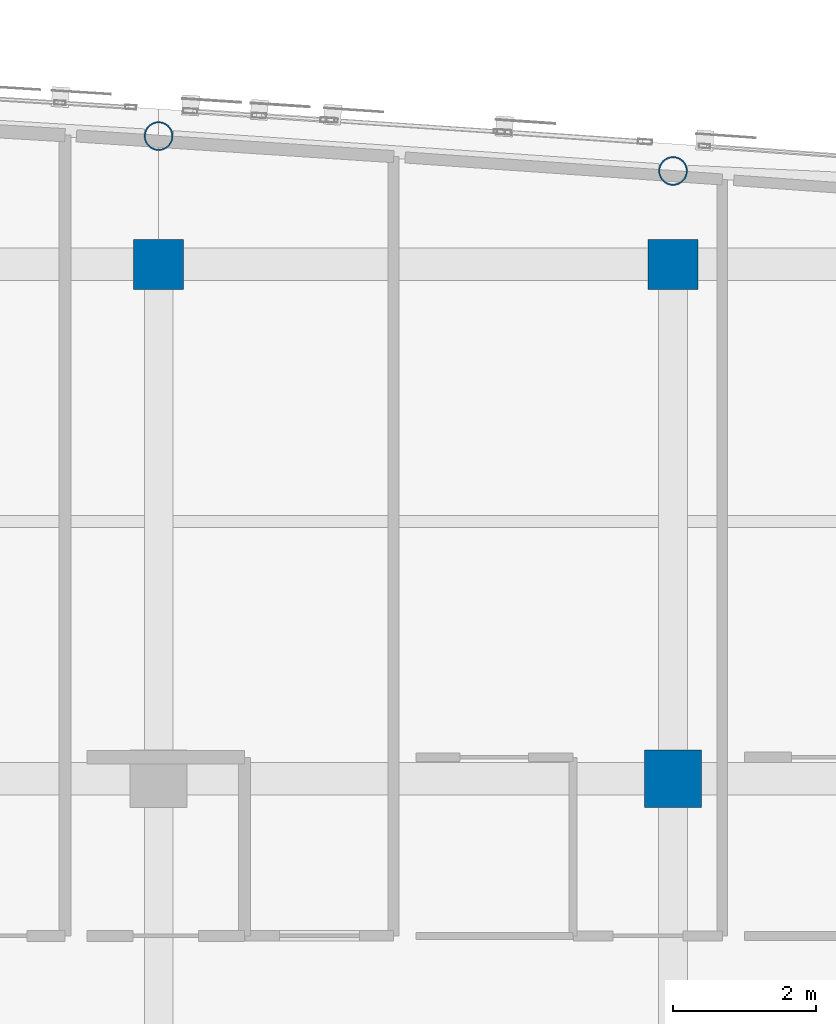
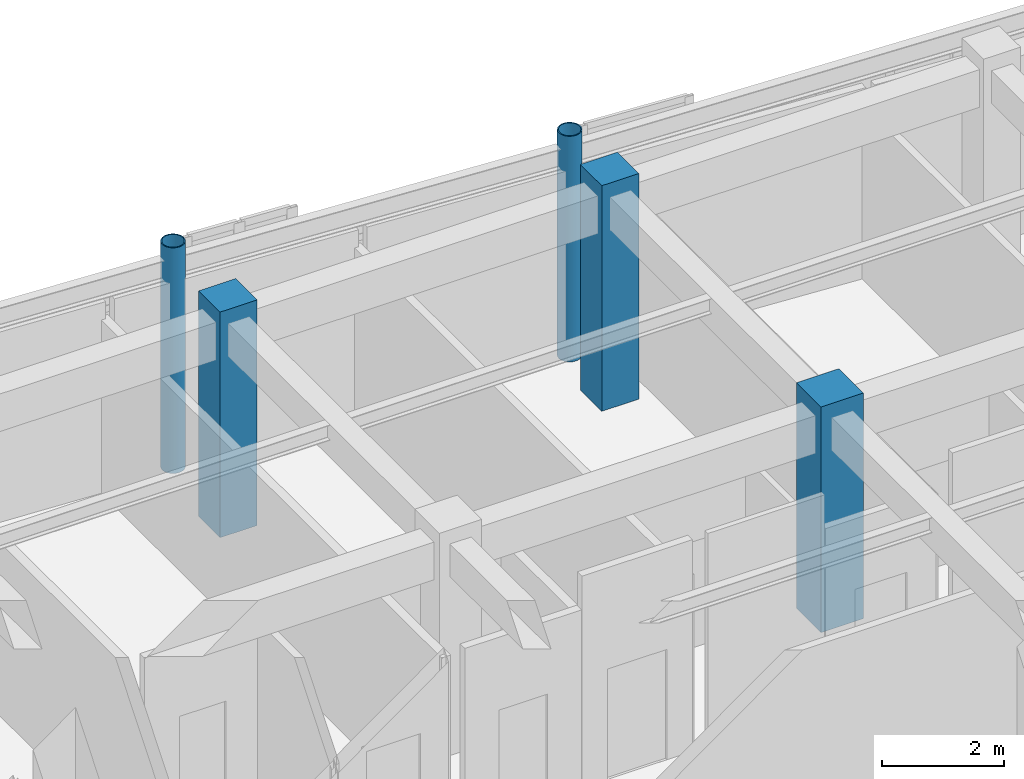
# One storey, part 10 of 106: 5 columns.
"""IFC4 building model written with IfcOpenShell, lengths in metres."""

from ifc_helpers import new_model, si_unit, direction, frame, origin, origin_2d, place, context, subcontext, project, spatial, rectangle, hollow_circle, extrude, material, material_profile, profile_set, type_object, element, save


model = new_model("IFC4")

# Units and contexts
model_context = context("Model", 3, precision=1e-05, world=origin(), true_north=direction((0.0, 1.0)))
body_context = subcontext(model_context, "Body", "Model", "MODEL_VIEW")
ifc_project = project(units=[si_unit("LENGTHUNIT", "METRE"), si_unit("AREAUNIT", "SQUARE_METRE"), si_unit("VOLUMEUNIT", "CUBIC_METRE"), si_unit("PLANEANGLEUNIT", "RADIAN"), si_unit("MASSUNIT", "GRAM", prefix="KILO")], contexts=[model_context])

# Site, building, storey
site_placement = place(None, origin())
site = spatial("IfcSite", under=ifc_project, at=site_placement, CompositionType="ELEMENT")
building_placement = place(site_placement, origin())
building = spatial("IfcBuilding", under=site, at=building_placement, Name="Carrowvane Square Congress Hotel", CompositionType="ELEMENT")
storey_placement = place(building_placement, frame((0.0, 0.0, 10.5)))
storey = spatial("IfcBuildingStorey", under=building, at=storey_placement, Name="L02", CompositionType="ELEMENT", Elevation=10.5)

# Columns
ifc_material_1 = material(Name="Concrete C40/50", Category="concrete")
ifc_material_profile_1 = material_profile(ifc_material_1, rectangle(XDim=0.699951171875, YDim=0.699951171875, at=origin_2d()), Name="RC 700x700")
ifc_profile_set_1 = profile_set([ifc_material_profile_1], Name="Concrete C40/50")
column_type_1 = type_object("IfcColumnType", Name="COL-RC-700", PredefinedType="COLUMN", material=ifc_profile_set_1)
for number, where, z_axis, x_axis, name in (
    (1, (126.800048828125, 113.39990234375, 0.0), (0.0, 0.0, 1.0), (1.0, 0.0, 0.0), "L02 column 17/R"),
    (2, (134.0, 113.39990234375, 0.0), (0.0, 0.0, 1.0), (1.0, 0.0, 0.0), "L02 column 18/R"),
):
    element("IfcColumn", number, at=place(storey_placement, frame(where, z_axis=z_axis, x_axis=x_axis)), inside=storey, type_object=column_type_1, Name=name, PredefinedType="COLUMN", context=body_context, shape_type="SweptSolid", body=[
        extrude(rectangle(XDim=0.699951171875, YDim=0.699951171875, at=origin_2d()), origin(), (0.0, 0.0, 1.0), 4.5),
    ])
ifc_material_2 = material(Name="Concrete C40/50", Category="concrete")
ifc_material_profile_2 = material_profile(ifc_material_2, rectangle(XDim=0.800048828125, YDim=0.800048828125, at=origin_2d()), Name="RC 800x800")
ifc_profile_set_2 = profile_set([ifc_material_profile_2], Name="Concrete C40/50")
column_type_2 = type_object("IfcColumnType", Name="COL-RC-800", PredefinedType="COLUMN", material=ifc_profile_set_2)
column_placement = place(storey_placement, frame((134.0, 106.199951171875, 0.0), z_axis=(0.0, 0.0, 1.0), x_axis=(1.0, 0.0, 0.0)))
element("IfcColumn", 3, at=column_placement, inside=storey, type_object=column_type_2, Name="L02 column 18/Q", PredefinedType="COLUMN", context=body_context, shape_type="SweptSolid", body=[
    extrude(rectangle(XDim=0.800048828125, YDim=0.800048828125, at=origin_2d()), origin(), (0.0, 0.0, 1.0), 4.5),
])
ifc_material_3 = material(Name="Steel S355", Category="steel")
ifc_material_profile_3 = material_profile(ifc_material_3, hollow_circle(Radius=0.203125, WallThickness=0.02001953125, at=origin_2d()), Name="CHS 406.4x20")
ifc_profile_set_3 = profile_set([ifc_material_profile_3], Name="Steel S355")
column_type_3 = type_object("IfcColumnType", Name="COL-ST-CHS406", PredefinedType="COLUMN", material=ifc_profile_set_3)
for number, where, z_axis, x_axis, name in (
    (4, (126.800048828125, 115.1943359375, 0.0), (0.0, 0.0, 1.0), (1.0, 0.0, 0.0), "L02 column 17/ARC"),
    (5, (134.0, 114.7060546875, 0.0), (0.0, 0.0, 1.0), (1.0, 0.0, 0.0), "L02 column 18/ARC"),
):
    element("IfcColumn", number, at=place(storey_placement, frame(where, z_axis=z_axis, x_axis=x_axis)), inside=storey, type_object=column_type_3, Name=name, PredefinedType="COLUMN", context=body_context, shape_type="SweptSolid", body=[
        extrude(hollow_circle(Radius=0.203125, WallThickness=0.02001953125, at=origin_2d()), origin(), (0.0, 0.0, 1.0), 4.5),
    ])

save(model, "model.ifc")
